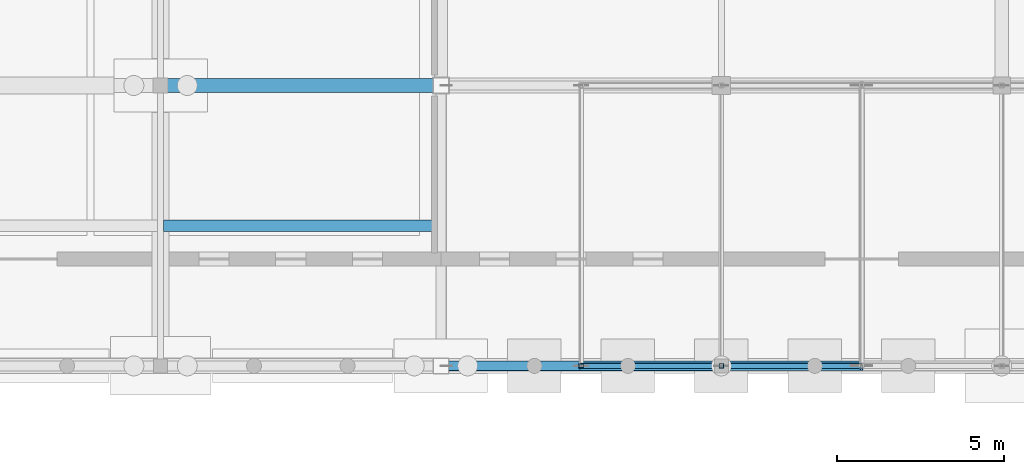
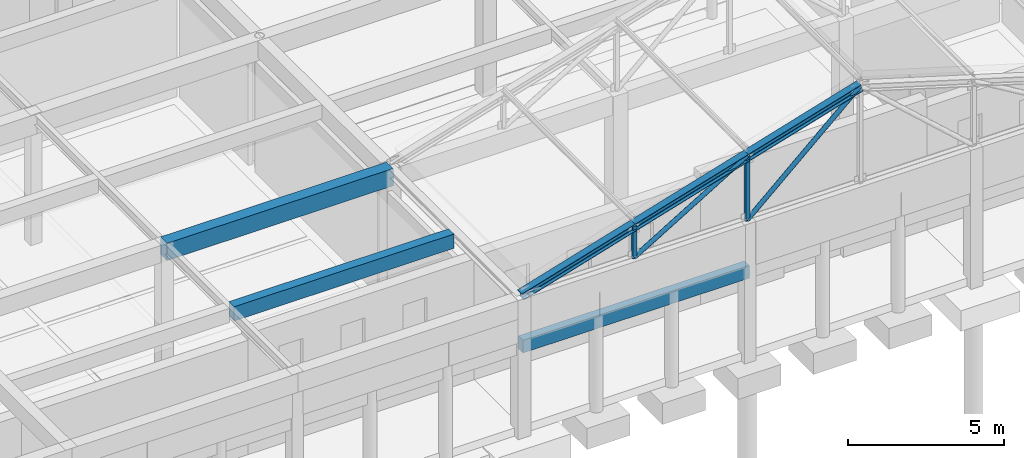
# One storey, part 22 of 143: 7 members, 3 beams.
"""IFC4 building model written with IfcOpenShell, lengths in metres."""

from ifc_helpers import new_model, si_unit, direction, frame, origin, origin_2d, place, context, subcontext, project, spatial, rectangle, hollow_rectangle, hollow_circle, i_section, extrude, material, material_profile, profile_set, type_object, element, save


model = new_model("IFC4")

# Units and contexts
model_context = context("Model", 3, precision=1e-05, world=origin(), true_north=direction((0.0, 1.0)))
body_context = subcontext(model_context, "Body", "Model", "MODEL_VIEW")
ifc_project = project(units=[si_unit("LENGTHUNIT", "METRE"), si_unit("AREAUNIT", "SQUARE_METRE"), si_unit("VOLUMEUNIT", "CUBIC_METRE"), si_unit("PLANEANGLEUNIT", "RADIAN"), si_unit("MASSUNIT", "GRAM", prefix="KILO")], contexts=[model_context])

# Site, building, storey
site_placement = place(None, origin())
site = spatial("IfcSite", under=ifc_project, at=site_placement, CompositionType="ELEMENT")
building_placement = place(site_placement, origin())
building = spatial("IfcBuilding", under=site, at=building_placement, Name="Kveldsbrygga Polytechnic", CompositionType="ELEMENT")
storey_placement = place(building_placement, origin())
storey = spatial("IfcBuildingStorey", under=building, at=storey_placement, Name="L00", CompositionType="ELEMENT", Elevation=0.0)

# Beam
ifc_material_1 = material(Name="Concrete C35/45", Category="concrete")
ifc_material_profile_1 = material_profile(ifc_material_1, rectangle(XDim=0.419921875, YDim=0.679931640625, at=origin_2d()), Name="RC 420x680")
ifc_profile_set_1 = profile_set([ifc_material_profile_1], Name="Concrete C35/45")
beam_type_1 = type_object("IfcBeamType", Name="BM-RC-420x680", PredefinedType="BEAM", material=ifc_profile_set_1)
beam_1_placement = place(storey_placement, frame((42.0, 8.39990234375, 4.800048828125), z_axis=(1.0, 0.0, 0.0), x_axis=(0.0, 1.0, 0.0)))
element("IfcBeam", 1, at=beam_1_placement, inside=storey, type_object=beam_type_1, Name="Primary Beam BMX-L00-05to06-01", PredefinedType="BEAM", context=body_context, shape_type="SweptSolid", body=[
    extrude(rectangle(XDim=0.419921875, YDim=0.679931640625, at=origin_2d()), origin(), (0.0, 0.0, 1.0), 8.39990234375),
])

# Members
ifc_material_2 = material(Name="Steel S355", Category="steel")
ifc_material_profile_2 = material_profile(ifc_material_2, hollow_circle(Radius=0.084228515625, WallThickness=0.010009765625, at=origin_2d()), Name="CHS 168.3x10.0")
ifc_profile_set_2 = profile_set([ifc_material_profile_2], Name="Steel S355")
member_type_1 = type_object("IfcMemberType", Name="BR-WIND-CHS168", PredefinedType="BRACE", material=ifc_profile_set_2)
member_1_placement = place(storey_placement, frame((54.60009765625, 0.0, 5.139892578125), z_axis=(0.856278379486, 0.0, 0.516514604658), x_axis=(0.0, 1.0, 0.0)))
element("IfcMember", 2, at=member_1_placement, inside=storey, type_object=member_type_1, Name="Truss Diagonal V5P-T01-DG-2", PredefinedType="BRACE", context=body_context, shape_type="SweptSolid", body=[
    extrude(hollow_circle(Radius=0.084228515625, WallThickness=0.010009765625, at=origin_2d()), origin(), (0.0, 0.0, 1.0), 4.90478515625),
])
member_2_placement = place(storey_placement, frame((58.800048828125, 0.0, 5.139892578125), z_axis=(0.741527609628, 0.0, 0.670922353302), x_axis=(0.0, 1.0, 0.0)))
element("IfcMember", 3, at=member_2_placement, inside=storey, type_object=member_type_1, Name="Truss Diagonal V5P-T01-DG-3", PredefinedType="BRACE", context=body_context, shape_type="SweptSolid", body=[
    extrude(hollow_circle(Radius=0.084228515625, WallThickness=0.010009765625, at=origin_2d()), origin(), (0.0, 0.0, 1.0), 5.663818359375),
])

# Beams
ifc_material_profile_3 = material_profile(ifc_material_1, rectangle(XDim=0.340087890625, YDim=0.56005859375, at=origin_2d()), Name="RC 340x560")
ifc_profile_set_3 = profile_set([ifc_material_profile_3], Name="Concrete C35/45")
beam_type_2 = type_object("IfcBeamType", Name="JST-RC-340x560", PredefinedType="JOIST", material=ifc_profile_set_3)
beam_2_placement = place(storey_placement, frame((42.090087890625, 4.199951171875, 4.860107421875), z_axis=(1.0, 0.0, 0.0), x_axis=(0.0, 1.0, 0.0)))
element("IfcBeam", 4, at=beam_2_placement, inside=storey, type_object=beam_type_2, Name="Secondary Joist JST-L00-05-00", PredefinedType="JOIST", context=body_context, shape_type="SweptSolid", body=[
    extrude(rectangle(XDim=0.340087890625, YDim=0.56005859375, at=origin_2d()), origin(), (0.0, 0.0, 1.0), 8.159912109375),
])
ifc_material_profile_4 = material_profile(ifc_material_1, rectangle(XDim=0.300048828125, YDim=0.5, at=origin_2d()), Name="RC 300x500")
ifc_profile_set_4 = profile_set([ifc_material_profile_4], Name="Concrete C35/45")
beam_type_3 = type_object("IfcBeamType", Name="LNT-RC-300x500", PredefinedType="LINTEL", material=ifc_profile_set_4)
beam_3_placement = place(storey_placement, frame((50.39990234375, 0.0, 3.199951171875), z_axis=(1.0, 0.0, 0.0), x_axis=(0.0, 1.0, 0.0)))
element("IfcBeam", 5, at=beam_3_placement, inside=storey, type_object=beam_type_3, Name="Harbour Colonnade Arch Lintel Beam BM-PROM-HDR-06", PredefinedType="LINTEL", context=body_context, shape_type="SweptSolid", body=[
    extrude(rectangle(XDim=0.300048828125, YDim=0.5, at=origin_2d()), origin(), (0.0, 0.0, 1.0), 8.400146484375),
])

# Members
ifc_material_profile_5 = material_profile(ifc_material_2, hollow_rectangle(XDim=0.139892578125, YDim=0.139892578125, WallThickness=0.008056640625, at=origin_2d()), Name="SHS 140x140x8.0")
ifc_profile_set_5 = profile_set([ifc_material_profile_5], Name="Steel S355")
member_type_2 = type_object("IfcMemberType", Name="TR-POST-SHS140", PredefinedType="STRUT", material=ifc_profile_set_5)
member_3_placement = place(storey_placement, frame((54.60009765625, 0.0, 5.139892578125), z_axis=(0.0, 0.0, 1.0), x_axis=(1.0, 0.0, 0.0)))
element("IfcMember", 6, at=member_3_placement, inside=storey, type_object=member_type_2, Name="Truss Vertical V5P-T01-VT-1", PredefinedType="STRUT", context=body_context, shape_type="SweptSolid", body=[
    extrude(hollow_rectangle(XDim=0.139892578125, YDim=0.139892578125, WallThickness=0.008056640625, at=origin_2d()), origin(), (0.0, 0.0, 1.0), 1.266845703125),
])
member_4_placement = place(storey_placement, frame((58.800048828125, 0.0, 5.139892578125), z_axis=(0.0, 0.0, 1.0), x_axis=(1.0, 0.0, 0.0)))
element("IfcMember", 7, at=member_4_placement, inside=storey, type_object=member_type_2, Name="Truss Vertical V5P-T01-VT-2", PredefinedType="STRUT", context=body_context, shape_type="SweptSolid", body=[
    extrude(hollow_rectangle(XDim=0.139892578125, YDim=0.139892578125, WallThickness=0.008056640625, at=origin_2d()), origin(), (0.0, 0.0, 1.0), 2.533447265625),
])
ifc_material_profile_6 = material_profile(ifc_material_2, i_section(OverallWidth=0.280029296875, OverallDepth=0.280029296875, WebThickness=0.010498046875, FlangeThickness=0.01806640625, FilletRadius=0.02392578125, at=origin_2d()), Name="HEB 280")
ifc_profile_set_6 = profile_set([ifc_material_profile_6], Name="Steel S355")
member_type_3 = type_object("IfcMemberType", Name="TR-TOP-HEB280", PredefinedType="CHORD", material=ifc_profile_set_6)
member_5_placement = place(storey_placement, frame((50.39990234375, 0.0, 5.139892578125), z_axis=(0.957399435953, 0.0, 0.288766895673), x_axis=(0.0, 1.0, 0.0)))
element("IfcMember", 8, at=member_5_placement, inside=storey, type_object=member_type_3, Name="Truss Top Chord V5P-T01-TC-1", PredefinedType="CHORD", context=body_context, shape_type="SweptSolid", body=[
    extrude(i_section(OverallWidth=0.280029296875, OverallDepth=0.280029296875, WebThickness=0.010498046875, FlangeThickness=0.01806640625, FilletRadius=0.02392578125, at=origin_2d()), origin(), (0.0, 0.0, 1.0), 4.38720703125),
])
for number, where, z_axis, x_axis, name in (
    (9, (54.60009765625, 0.0, 6.40673828125), (0.957410180843, 0.0, 0.288731268861), (0.0, 1.0, 0.0), "Truss Top Chord V5P-T01-TC-2"),
    (10, (58.800048828125, 0.0, 7.67333984375), (0.957410180843, 0.0, 0.288731268861), (0.0, 1.0, 0.0), "Truss Top Chord V5P-T01-TC-3"),
):
    element("IfcMember", number, at=place(storey_placement, frame(where, z_axis=z_axis, x_axis=x_axis)), inside=storey, type_object=member_type_3, Name=name, PredefinedType="CHORD", context=body_context, shape_type="SweptSolid", body=[
        extrude(i_section(OverallWidth=0.280029296875, OverallDepth=0.280029296875, WebThickness=0.010498046875, FlangeThickness=0.01806640625, FilletRadius=0.02392578125, at=origin_2d()), origin(), (0.0, 0.0, 1.0), 4.38671875),
    ])

save(model, "model.ifc")
